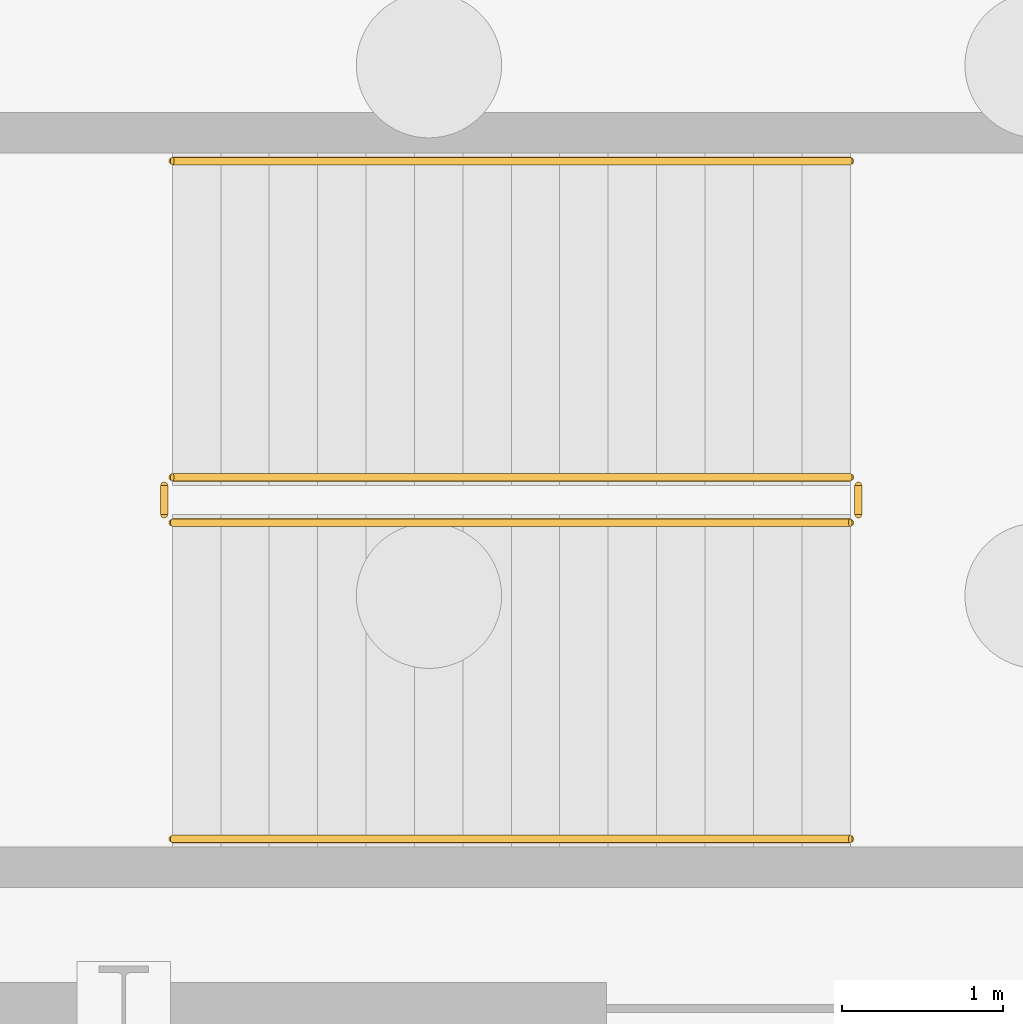
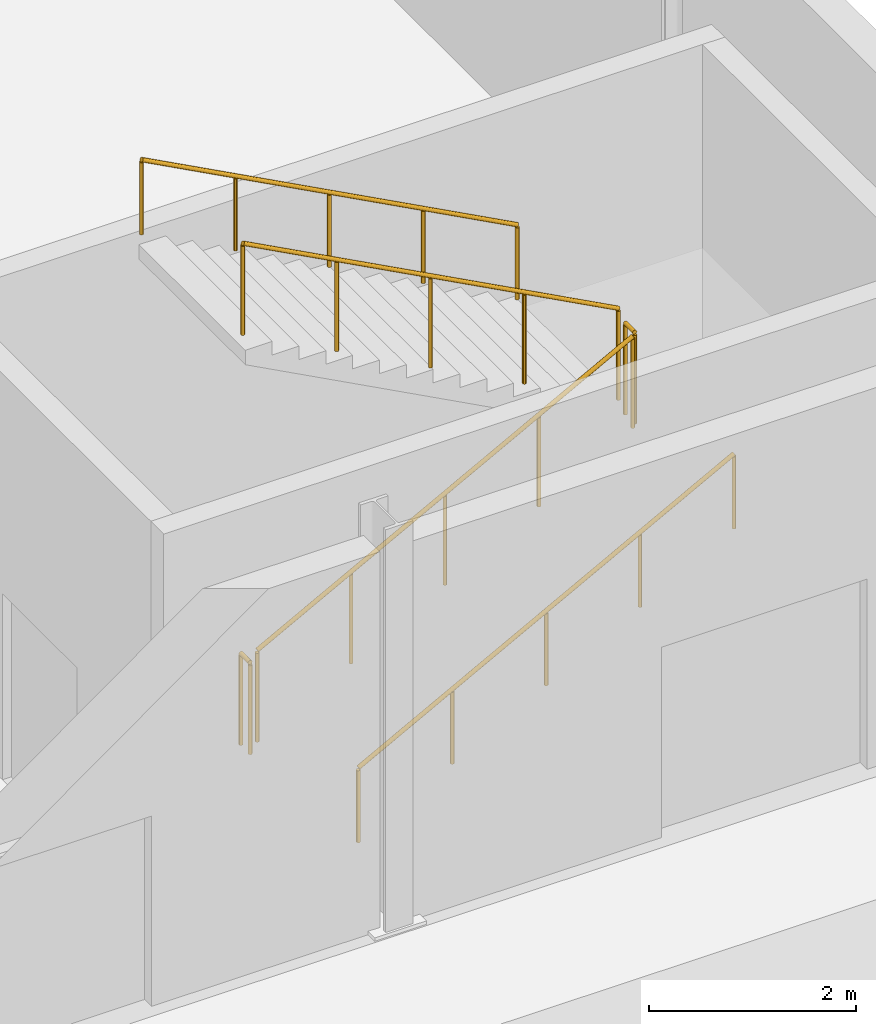
# One storey, part 99 of 101: 6 railings.
"""IFC4 building model written with IfcOpenShell, lengths in metres."""

from ifc_helpers import new_model, si_unit, derived_unit, direction, frame, origin, origin_2d, place, context, subcontext, project, spatial, circle, extrude, material, type_object, element, save


model = new_model("IFC4")

# Units and contexts
model_context = context("Model", 3, precision=1e-05, world=origin(), true_north=direction((0.0, 1.0)))
body_context = subcontext(model_context, "Body", "Model", "MODEL_VIEW")
ifc_project = project(units=[si_unit("LENGTHUNIT", "METRE"), si_unit("AREAUNIT", "SQUARE_METRE"), si_unit("VOLUMEUNIT", "CUBIC_METRE"), si_unit("PLANEANGLEUNIT", "RADIAN"), si_unit("MASSUNIT", "GRAM", prefix="KILO"), derived_unit("THERMALTRANSMITTANCEUNIT", [(si_unit("POWERUNIT", "WATT"), 1), (si_unit("LENGTHUNIT", "METRE"), -2), (si_unit("THERMODYNAMICTEMPERATUREUNIT", "KELVIN"), -1)])], contexts=[model_context])

# Site, building, storey
site_placement = place(None, origin())
site = spatial("IfcSite", under=ifc_project, at=site_placement, CompositionType="ELEMENT")
building_placement = place(site_placement, origin())
building = spatial("IfcBuilding", under=site, at=building_placement, Name="Keldorne Ridge Multi-Sports Centre", CompositionType="ELEMENT")
storey_placement = place(building_placement, origin())
storey = spatial("IfcBuildingStorey", under=building, at=storey_placement, Name="L00", CompositionType="ELEMENT", Elevation=0.0)

# Railings
ifc_material_1 = material(Name="Laminated glass and stainless steel", Category="steel")
railing_type_1 = type_object("IfcRailingType", Name="RLG-BL-01", PredefinedType="BALUSTRADE", material=ifc_material_1)
railing_1_placement = place(storey_placement, frame((160.300048828125, 9.010009765625, 0.159912109375)))
element("IfcRailing", 1, at=railing_1_placement, inside=storey, type_object=railing_type_1, Name="L00 ST-05 stair guard 1", PredefinedType="BALUSTRADE", context=body_context, shape_type="SweptSolid", body=[
    extrude(circle(Radius=0.02392578125, at=origin_2d()), frame((0.0, 0.0, 1.076171875), z_axis=(0.882351521365, 0.0, 0.470590897432), x_axis=(0.0, 1.0, 0.0)), (0.0, 0.0, 1.0), 4.760009765625),
    extrude(circle(Radius=0.02099609375, at=origin_2d()), origin(), (0.0, 0.0, 1.0), 1.052001953125),
    extrude(circle(Radius=0.02099609375, at=origin_2d()), frame((1.050048828125, 0.0, 0.56005859375)), (0.0, 0.0, 1.0), 1.052001953125),
    extrude(circle(Radius=0.02099609375, at=origin_2d()), frame((2.10009765625, 0.0, 1.1201171875)), (0.0, 0.0, 1.0), 1.052001953125),
    extrude(circle(Radius=0.02099609375, at=origin_2d()), frame((3.14990234375, 0.0, 1.679931640625)), (0.0, 0.0, 1.0), 1.052001953125),
    extrude(circle(Radius=0.02099609375, at=origin_2d()), frame((4.199951171875, 0.0, 2.239990234375)), (0.0, 0.0, 1.0), 1.052001953125),
])
railing_2_placement = place(storey_placement, frame((164.550048828125, 9.06005859375, 2.39990234375)))
element("IfcRailing", 2, at=railing_2_placement, inside=storey, type_object=railing_type_1, Name="L00 ST-05 stair guard 2", PredefinedType="BALUSTRADE", context=body_context, shape_type="SweptSolid", body=[
    extrude(circle(Radius=0.02392578125, at=origin_2d()), frame((0.0, 0.0, 1.076171875), z_axis=(0.0, 1.0, 0.0), x_axis=(-1.0, 0.0, 0.0)), (0.0, 0.0, 1.0), 0.179931640625),
    extrude(circle(Radius=0.02099609375, at=origin_2d()), origin(), (0.0, 0.0, 1.0), 1.052001953125),
    extrude(circle(Radius=0.02099609375, at=origin_2d()), frame((0.0, 0.179931640625, 0.0)), (0.0, 0.0, 1.0), 1.052001953125),
])
railing_3_placement = place(storey_placement, frame((164.5, 9.2900390625, 2.56005859375)))
element("IfcRailing", 3, at=railing_3_placement, inside=storey, type_object=railing_type_1, Name="L00 ST-05 stair guard 3", PredefinedType="BALUSTRADE", context=body_context, shape_type="SweptSolid", body=[
    extrude(circle(Radius=0.02392578125, at=origin_2d()), frame((0.0, 0.0, 1.076171875), z_axis=(-0.882351521365, 0.0, 0.470590897432), x_axis=(0.0, -1.0, 0.0)), (0.0, 0.0, 1.0), 4.760009765625),
    extrude(circle(Radius=0.02099609375, at=origin_2d()), origin(), (0.0, 0.0, 1.0), 1.052001953125),
    extrude(circle(Radius=0.02099609375, at=origin_2d()), frame((-1.050048828125, 0.0, 0.56005859375)), (0.0, 0.0, 1.0), 1.052001953125),
    extrude(circle(Radius=0.02099609375, at=origin_2d()), frame((-2.10009765625, 0.0, 1.1201171875)), (0.0, 0.0, 1.0), 1.052001953125),
    extrude(circle(Radius=0.02099609375, at=origin_2d()), frame((-3.14990234375, 0.0, 1.679931640625)), (0.0, 0.0, 1.0), 1.052001953125),
    extrude(circle(Radius=0.02099609375, at=origin_2d()), frame((-4.199951171875, 0.0, 2.239990234375)), (0.0, 0.0, 1.0), 1.052001953125),
])
railing_4_placement = place(storey_placement, frame((160.25, 9.06005859375, 0.0)))
element("IfcRailing", 4, at=railing_4_placement, inside=storey, type_object=railing_type_1, Name="L00 ST-05 stair guard 4", PredefinedType="BALUSTRADE", context=body_context, shape_type="SweptSolid", body=[
    extrude(circle(Radius=0.02392578125, at=origin_2d()), frame((0.0, 0.0, 1.076171875), z_axis=(0.0, 1.0, 0.0), x_axis=(-1.0, 0.0, 0.0)), (0.0, 0.0, 1.0), 0.179931640625),
    extrude(circle(Radius=0.02099609375, at=origin_2d()), origin(), (0.0, 0.0, 1.0), 1.052001953125),
    extrude(circle(Radius=0.02099609375, at=origin_2d()), frame((0.0, 0.179931640625, 0.0)), (0.0, 0.0, 1.0), 1.052001953125),
])
ifc_material_2 = material(Name="Stainless steel", Category="steel")
railing_type_2 = type_object("IfcRailingType", Name="RLG-HR-01", PredefinedType="HANDRAIL", material=ifc_material_2)
railing_5_placement = place(storey_placement, frame((160.300048828125, 7.050048828125, 0.159912109375)))
element("IfcRailing", 5, at=railing_5_placement, inside=storey, type_object=railing_type_2, Name="L00 ST-05 stair handrail 1", PredefinedType="HANDRAIL", context=body_context, shape_type="SweptSolid", body=[
    extrude(circle(Radius=0.02392578125, at=origin_2d()), frame((0.0, 0.0, 0.8759765625), z_axis=(0.882351521365, 0.0, 0.470590897432), x_axis=(0.0, 1.0, 0.0)), (0.0, 0.0, 1.0), 4.760009765625),
    extrude(circle(Radius=0.02099609375, at=origin_2d()), origin(), (0.0, 0.0, 1.0), 0.851806640625),
    extrude(circle(Radius=0.02099609375, at=origin_2d()), frame((1.050048828125, 0.0, 0.56005859375)), (0.0, 0.0, 1.0), 0.851806640625),
    extrude(circle(Radius=0.02099609375, at=origin_2d()), frame((2.10009765625, 0.0, 1.1201171875)), (0.0, 0.0, 1.0), 0.851806640625),
    extrude(circle(Radius=0.02099609375, at=origin_2d()), frame((3.14990234375, 0.0, 1.679931640625)), (0.0, 0.0, 1.0), 0.851806640625),
    extrude(circle(Radius=0.02099609375, at=origin_2d()), frame((4.199951171875, 0.0, 2.239990234375)), (0.0, 0.0, 1.0), 0.851806640625),
])
railing_6_placement = place(storey_placement, frame((164.5, 11.25, 2.56005859375)))
element("IfcRailing", 6, at=railing_6_placement, inside=storey, type_object=railing_type_2, Name="L00 ST-05 stair handrail 2", PredefinedType="HANDRAIL", context=body_context, shape_type="SweptSolid", body=[
    extrude(circle(Radius=0.02392578125, at=origin_2d()), frame((0.0, 0.0, 0.8759765625), z_axis=(-0.882351521365, 0.0, 0.470590897432), x_axis=(0.0, -1.0, 0.0)), (0.0, 0.0, 1.0), 4.760009765625),
    extrude(circle(Radius=0.02099609375, at=origin_2d()), origin(), (0.0, 0.0, 1.0), 0.851806640625),
    extrude(circle(Radius=0.02099609375, at=origin_2d()), frame((-1.050048828125, 0.0, 0.56005859375)), (0.0, 0.0, 1.0), 0.851806640625),
    extrude(circle(Radius=0.02099609375, at=origin_2d()), frame((-2.10009765625, 0.0, 1.1201171875)), (0.0, 0.0, 1.0), 0.851806640625),
    extrude(circle(Radius=0.02099609375, at=origin_2d()), frame((-3.14990234375, 0.0, 1.679931640625)), (0.0, 0.0, 1.0), 0.851806640625),
    extrude(circle(Radius=0.02099609375, at=origin_2d()), frame((-4.199951171875, 0.0, 2.239990234375)), (0.0, 0.0, 1.0), 0.851806640625),
])

save(model, "model.ifc")
